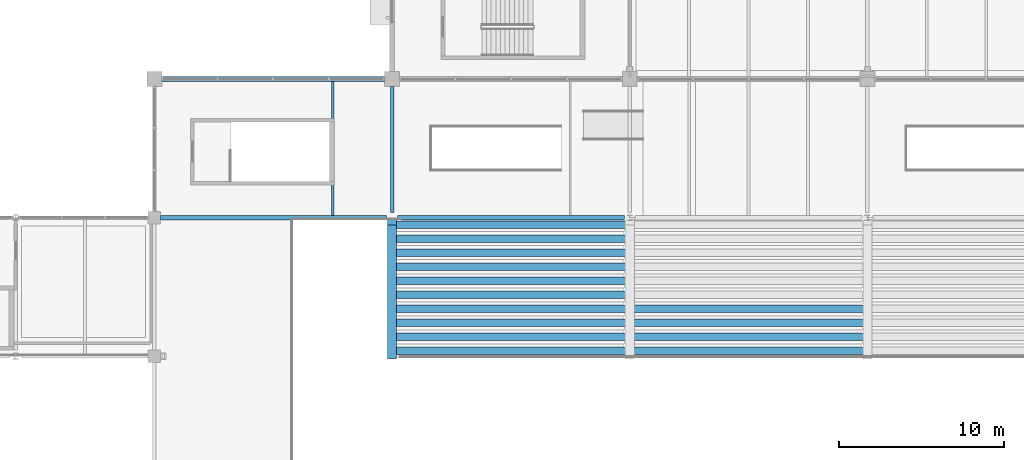
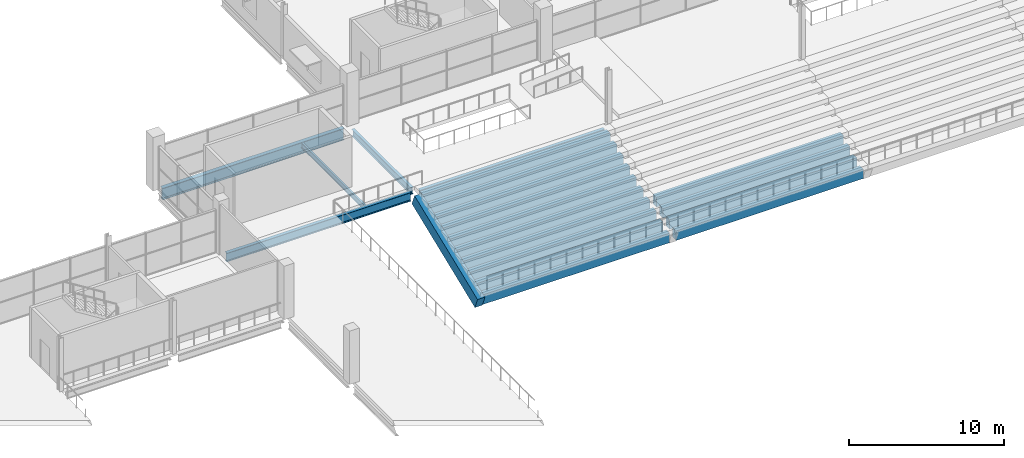
# One storey, part 54 of 161: 20 beams.
"""IFC4 building model written with IfcOpenShell, lengths in metres."""

from ifc_helpers import new_model, si_unit, direction, frame, origin, origin_2d, place, context, subcontext, project, spatial, rectangle, i_section, extrude, material, material_profile, profile_set, type_object, element, save


model = new_model("IFC4")

# Units and contexts
model_context = context("Model", 3, precision=1e-05, world=origin(), true_north=direction((0.0, 1.0)))
body_context = subcontext(model_context, "Body", "Model", "MODEL_VIEW")
ifc_project = project(units=[si_unit("LENGTHUNIT", "METRE"), si_unit("AREAUNIT", "SQUARE_METRE"), si_unit("VOLUMEUNIT", "CUBIC_METRE"), si_unit("PLANEANGLEUNIT", "RADIAN"), si_unit("MASSUNIT", "GRAM", prefix="KILO"), si_unit("THERMODYNAMICTEMPERATUREUNIT", "KELVIN")], contexts=[model_context])

# Site, building, storey
site_placement = place(None, origin())
site = spatial("IfcSite", under=ifc_project, at=site_placement, CompositionType="ELEMENT")
building_placement = place(site_placement, origin())
building = spatial("IfcBuilding", under=site, at=building_placement, Name="Nduvali Passage Aquatics Centre", CompositionType="ELEMENT")
storey_placement = place(building_placement, frame((0.0, 0.0, 4.800048828125)))
storey = spatial("IfcBuildingStorey", under=building, at=storey_placement, Name="L01", CompositionType="ELEMENT", Elevation=4.800048828125)

# Beams
ifc_material_1 = material(Name="Concrete C40/50", Category="concrete")
ifc_material_profile_1 = material_profile(ifc_material_1, rectangle(XDim=0.449951171875, YDim=0.75, at=origin_2d()), Name="RC 450x750")
ifc_profile_set_1 = profile_set([ifc_material_profile_1], Name="Concrete C40/50")
beam_type_1 = type_object("IfcBeamType", Name="STR-BM-RC4575", PredefinedType="BEAM", material=ifc_profile_set_1)
for number, where, z_axis, x_axis, name in (
    (1, (39.840087890625, 75.925048828125, -3.97509765625), (1.0, 0.0, 0.0), (0.0, 1.0, 0.0), "L01 North Stand Tier Bearer Row 01 B3-1569"),
    (2, (54.239990234375, 75.925048828125, -3.97509765625), (1.0, 0.0, 0.0), (0.0, 1.0, 0.0), "L01 North Stand Tier Bearer Row 01 B3-1570"),
    (3, (39.840087890625, 76.77490234375, -3.614990234375), (1.0, 0.0, 0.0), (0.0, 1.0, 0.0), "L01 North Stand Tier Bearer Row 02 B3-1574"),
    (4, (54.239990234375, 76.77490234375, -3.614990234375), (1.0, 0.0, 0.0), (0.0, 1.0, 0.0), "L01 North Stand Tier Bearer Row 02 B3-1575"),
    (5, (39.840087890625, 77.625, -3.255126953125), (1.0, 0.0, 0.0), (0.0, 1.0, 0.0), "L01 North Stand Tier Bearer Row 03 B3-1579"),
    (6, (54.239990234375, 77.625, -3.255126953125), (1.0, 0.0, 0.0), (0.0, 1.0, 0.0), "L01 North Stand Tier Bearer Row 03 B3-1580"),
    (7, (39.840087890625, 78.47509765625, -2.89501953125), (1.0, 0.0, 0.0), (0.0, 1.0, 0.0), "L01 North Stand Tier Bearer Row 04 B3-1584"),
    (8, (54.239990234375, 78.47509765625, -2.89501953125), (1.0, 0.0, 0.0), (0.0, 1.0, 0.0), "L01 North Stand Tier Bearer Row 04 B3-1585"),
    (9, (39.840087890625, 79.324951171875, -2.53515625), (1.0, 0.0, 0.0), (0.0, 1.0, 0.0), "L01 North Stand Tier Bearer Row 05 B3-1589"),
    (10, (39.840087890625, 80.175048828125, -2.175048828125), (1.0, 0.0, 0.0), (0.0, 1.0, 0.0), "L01 North Stand Tier Bearer Row 06 B3-1594"),
    (11, (39.840087890625, 81.02490234375, -1.81494140625), (1.0, 0.0, 0.0), (0.0, 1.0, 0.0), "L01 North Stand Tier Bearer Row 07 B3-1599"),
    (12, (39.840087890625, 81.875, -1.455078125), (1.0, 0.0, 0.0), (0.0, 1.0, 0.0), "L01 North Stand Tier Bearer Row 08 B3-1604"),
    (13, (39.840087890625, 82.72509765625, -1.094970703125), (1.0, 0.0, 0.0), (0.0, 1.0, 0.0), "L01 North Stand Tier Bearer Row 09 B3-1609"),
    (14, (39.840087890625, 83.574951171875, -0.735107421875), (1.0, 0.0, 0.0), (0.0, 1.0, 0.0), "L01 North Stand Tier Bearer Row 10 B3-1614"),
):
    element("IfcBeam", number, at=place(storey_placement, frame(where, z_axis=z_axis, x_axis=x_axis)), inside=storey, type_object=beam_type_1, Name=name, PredefinedType="BEAM", context=body_context, shape_type="SweptSolid", body=[
        extrude(rectangle(XDim=0.449951171875, YDim=0.75, at=origin_2d()), origin(), (0.0, 0.0, 1.0), 13.919921875),
    ])
ifc_material_2 = material(Name="Steel S355", Category="steel")
ifc_material_profile_2 = material_profile(ifc_material_2, i_section(OverallWidth=0.210693359375, OverallDepth=0.53955078125, WebThickness=0.01171875, FlangeThickness=0.018798828125, FilletRadius=0.0126953125, at=origin_2d()), Name="UKB 533x210x109")
ifc_profile_set_2 = profile_set([ifc_material_profile_2], Name="Steel S355")
beam_type_2 = type_object("IfcBeamType", Name="STR-BM-UKB533-EXT", PredefinedType="BEAM", material=ifc_profile_set_2)
beam_1_placement = place(storey_placement, frame((39.60009765625, 84.324951171875, -0.553955078125), z_axis=(0.0, 1.0, 0.0), x_axis=(-1.0, 0.0, 0.0)))
element("IfcBeam", 15, at=beam_1_placement, inside=storey, type_object=beam_type_2, Name="L01 Primary Y-Girder B6E-0580", PredefinedType="BEAM", context=body_context, shape_type="SweptSolid", body=[
    extrude(i_section(OverallWidth=0.210693359375, OverallDepth=0.53955078125, WebThickness=0.01171875, FlangeThickness=0.018798828125, FilletRadius=0.0126953125, at=origin_2d()), origin(), (0.0, 0.0, 1.0), 7.625),
])
ifc_material_profile_3 = material_profile(ifc_material_2, i_section(OverallWidth=0.253662109375, OverallDepth=0.68359375, WebThickness=0.012451171875, FlangeThickness=0.01904296875, FilletRadius=0.01513671875, at=origin_2d()), Name="UKB 686x254x140")
ifc_profile_set_3 = profile_set([ifc_material_profile_3], Name="Steel S355")
beam_type_3 = type_object("IfcBeamType", Name="STR-BM-UKB686", PredefinedType="BEAM", material=ifc_profile_set_3)
beam_2_placement = place(storey_placement, frame((25.574951171875, 84.0, -0.625732421875), z_axis=(1.0, 0.0, 0.0), x_axis=(0.0, 1.0, 0.0)))
element("IfcBeam", 16, at=beam_2_placement, inside=storey, type_object=beam_type_3, Name="L01 Primary X-Girder B4-0511", PredefinedType="BEAM", context=body_context, shape_type="SweptSolid", body=[
    extrude(i_section(OverallWidth=0.253662109375, OverallDepth=0.68359375, WebThickness=0.012451171875, FlangeThickness=0.01904296875, FilletRadius=0.01513671875, at=origin_2d()), origin(), (0.0, 0.0, 1.0), 13.699951171875),
])
beam_3_placement = place(storey_placement, frame((39.925048828125, 84.0, -0.705810546875), z_axis=(1.0, 0.0, 0.0), x_axis=(0.0, 1.0, 0.0)))
element("IfcBeam", 17, at=beam_3_placement, inside=storey, type_object=beam_type_3, Name="L01 Primary X-Girder B4-0512", PredefinedType="BEAM", context=body_context, shape_type="SweptSolid", body=[
    extrude(i_section(OverallWidth=0.253662109375, OverallDepth=0.68359375, WebThickness=0.012451171875, FlangeThickness=0.01904296875, FilletRadius=0.01513671875, at=origin_2d()), origin(), (0.0, 0.0, 1.0), 13.75),
])
ifc_material_profile_4 = material_profile(ifc_material_2, i_section(OverallWidth=0.30419921875, OverallDepth=0.910400390625, WebThickness=0.015869140625, FlangeThickness=0.02392578125, FilletRadius=0.01904296875, at=origin_2d()), Name="UKB 914x305x224")
ifc_profile_set_4 = profile_set([ifc_material_profile_4], Name="Steel S355")
beam_type_4 = type_object("IfcBeamType", Name="STR-BM-UKB914-EXT", PredefinedType="BEAM", material=ifc_profile_set_4)
beam_4_placement = place(storey_placement, frame((25.64990234375, 92.39990234375, -0.7392578125), z_axis=(1.0, 0.0, 0.0), x_axis=(0.0, 1.0, 0.0)))
element("IfcBeam", 18, at=beam_4_placement, inside=storey, type_object=beam_type_4, Name="L01 Primary X-Girder B4AE-0524", PredefinedType="BEAM", context=body_context, shape_type="SweptSolid", body=[
    extrude(i_section(OverallWidth=0.30419921875, OverallDepth=0.910400390625, WebThickness=0.015869140625, FlangeThickness=0.02392578125, FilletRadius=0.01904296875, at=origin_2d()), origin(), (0.0, 0.0, 1.0), 13.5),
])
ifc_material_profile_5 = material_profile(ifc_material_2, i_section(OverallWidth=0.14208984375, OverallDepth=0.4033203125, WebThickness=0.0068359375, FlangeThickness=0.01123046875, FilletRadius=0.01025390625, at=origin_2d()), Name="UKB 406x140x46")
ifc_profile_set_5 = profile_set([ifc_material_profile_5], Name="Steel S355")
beam_type_5 = type_object("IfcBeamType", Name="STR-JST-UKB406L", PredefinedType="JOIST", material=ifc_profile_set_5)
beam_5_placement = place(storey_placement, frame((36.0, 84.126708984375, -0.485595703125), z_axis=(0.0, 1.0, 0.0), x_axis=(-1.0, 0.0, 0.0)))
element("IfcBeam", 19, at=beam_5_placement, inside=storey, type_object=beam_type_5, Name="L01 Secondary Joist J1B-0797", PredefinedType="JOIST", context=body_context, shape_type="SweptSolid", body=[
    extrude(i_section(OverallWidth=0.14208984375, OverallDepth=0.4033203125, WebThickness=0.0068359375, FlangeThickness=0.01123046875, FilletRadius=0.01025390625, at=origin_2d()), origin(), (0.0, 0.0, 1.0), 8.121337890625),
])
ifc_material_profile_6 = material_profile(ifc_material_1, rectangle(XDim=0.550048828125, YDim=0.89990234375, at=origin_2d()), Name="RC 550x900")
ifc_profile_set_6 = profile_set([ifc_material_profile_6], Name="Concrete C40/50")
beam_type_6 = type_object("IfcBeamType", Name="STR-RAK-RC5085", PredefinedType="USERDEFINED", material=ifc_profile_set_6)
beam_6_placement = place(storey_placement, frame((39.60009765625, 83.719970703125, -0.78515625), z_axis=(0.0, -0.928790285766, -0.370605727244), x_axis=(1.0, 0.0, 0.0)))
element("IfcBeam", 20, at=beam_6_placement, inside=storey, type_object=beam_type_6, Name="L01 North Stand Raker Beam RK1-1563", ObjectType="RAKER", PredefinedType="USERDEFINED", context=body_context, shape_type="SweptSolid", body=[
    extrude(rectangle(XDim=0.550048828125, YDim=0.89990234375, at=origin_2d()), origin(), (0.0, 0.0, 1.0), 8.742431640625),
])

save(model, "model.ifc")
